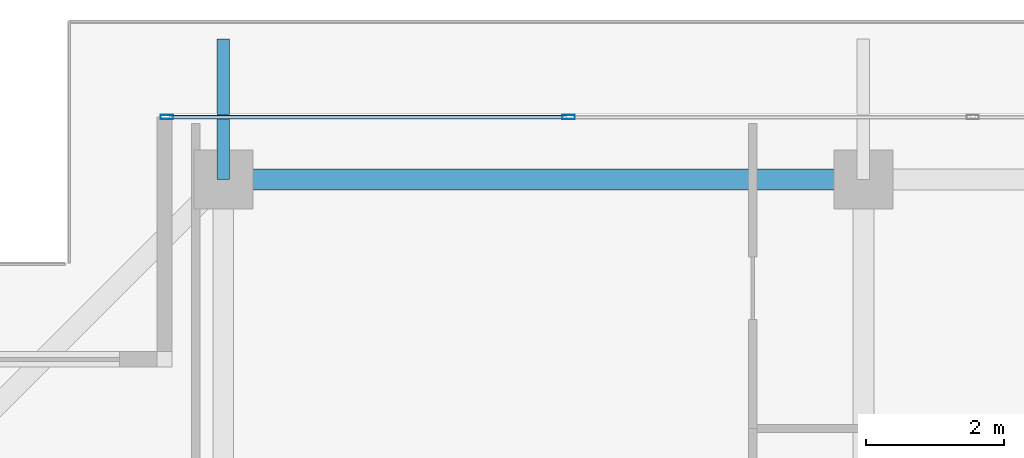
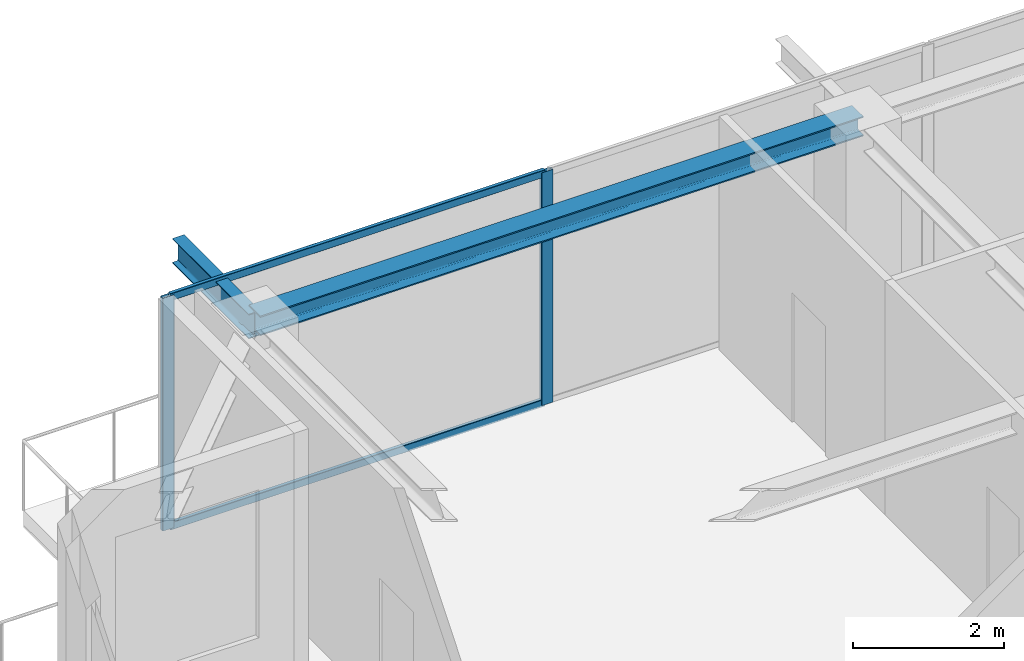
# One storey, part 18 of 36: 4 members, 2 beams, 1 element without a shape of its own.
"""IFC4 building model written with IfcOpenShell, lengths in metres."""

from ifc_helpers import new_model, si_unit, direction, frame, origin, origin_2d, place, context, subcontext, project, spatial, hollow_rectangle, i_section, extrude, source, transform, mapped, material, layer, layer_set, material_profile, profile_set, type_object, element, aggregate, save


model = new_model("IFC4")

# Units and contexts
model_context = context("Model", 3, precision=1e-05, world=origin(), true_north=direction((0.0, 1.0)))
body_context = subcontext(model_context, "Body", "Model", "MODEL_VIEW")
ifc_project = project(units=[si_unit("LENGTHUNIT", "METRE"), si_unit("AREAUNIT", "SQUARE_METRE"), si_unit("VOLUMEUNIT", "CUBIC_METRE"), si_unit("PLANEANGLEUNIT", "RADIAN"), si_unit("MASSUNIT", "GRAM", prefix="KILO")], contexts=[model_context])

# Site, building, storey
site_placement = place(None, origin())
site = spatial("IfcSite", under=ifc_project, at=site_placement, CompositionType="ELEMENT")
building_placement = place(site_placement, origin())
building = spatial("IfcBuilding", under=site, at=building_placement, Name="Serunith Strait Residences", CompositionType="ELEMENT")
storey_placement = place(building_placement, frame((0.0, 0.0, 338.0)))
storey = spatial("IfcBuildingStorey", under=building, at=storey_placement, Name="L84", CompositionType="ELEMENT", Elevation=338.0)

# Beams
ifc_material_1 = material(Name="Steel S355J2", Category="steel")
ifc_material_profile_1 = material_profile(ifc_material_1, i_section(OverallWidth=0.300048828125, OverallDepth=0.320068359375, WebThickness=0.011474609375, FlangeThickness=0.0205078125, FilletRadius=0.027099609375, at=origin_2d()), Name="HEB 320")
ifc_profile_set_1 = profile_set([ifc_material_profile_1], Name="Steel S355J2")
beam_type_1 = type_object("IfcBeamType", Name="BM-HEB320", PredefinedType="BEAM", material=ifc_profile_set_1)
shared_shape_1 = source(origin(), body_context, "Body", "SweptSolid", [
    extrude(i_section(OverallWidth=0.300048828125, OverallDepth=0.320068359375, WebThickness=0.011474609375, FlangeThickness=0.0205078125, FilletRadius=0.027099609375, at=origin_2d()), origin(), (0.0, 0.0, 1.0), 9.25),
])
beam_1_placement = place(storey_placement, frame((27.89990234375, 45.5, 3.626953125), z_axis=(-1.0, 0.0, 0.0), x_axis=(0.0, -1.0, 0.0)))
element("IfcBeam", 1, at=beam_1_placement, inside=storey, type_object=beam_type_1, Name="L84 Perimeter Ring Beam 11", PredefinedType="BEAM", context=body_context, shape_type="MappedRepresentation", body=[
    mapped(shared_shape_1, transform((0.0, 0.0, 0.0), scale=1.0)),
])
ifc_material_profile_2 = material_profile(ifc_material_1, i_section(OverallWidth=0.179931640625, OverallDepth=0.39990234375, WebThickness=0.008544921875, FlangeThickness=0.013427734375, FilletRadius=0.02099609375, at=origin_2d()), Name="IPE 400")
ifc_profile_set_2 = profile_set([ifc_material_profile_2], Name="Steel S355J2")
beam_type_2 = type_object("IfcBeamType", Name="BM-IPE400", PredefinedType="JOIST", material=ifc_profile_set_2)
shared_shape_2 = source(origin(), body_context, "Body", "SweptSolid", [
    extrude(i_section(OverallWidth=0.179931640625, OverallDepth=0.39990234375, WebThickness=0.008544921875, FlangeThickness=0.013427734375, FilletRadius=0.02099609375, at=origin_2d()), origin(), (0.0, 0.0, 1.0), 2.030029296875),
])
beam_2_placement = place(storey_placement, frame((18.64990234375, 45.5, 3.556884765625), z_axis=(0.0, 1.0, 0.0), x_axis=(-1.0, 0.0, 0.0)))
element("IfcBeam", 2, at=beam_2_placement, inside=storey, type_object=beam_type_2, Name="L85 Cantilevered Balcony Rib TC-N1", PredefinedType="JOIST", context=body_context, shape_type="MappedRepresentation", body=[
    mapped(shared_shape_2, transform((0.0, 0.0, 0.0), scale=1.0)),
])

# Curtain wall, members
ifc_material_2 = material(Name="Brushed Stainless-Silver Aluminium", Category="aluminium")
ifc_layer = layer(ifc_material_2, 0.199951171875, Name="Brushed Stainless-Silver Aluminium")
ifc_layer_set = layer_set([ifc_layer], Name="Brushed Stainless-Silver Aluminium")
curtain_wall_type = type_object("IfcCurtainWallType", Name="CW-SYS5", PredefinedType="NOTDEFINED", material=ifc_layer_set)
curtain_wall_placement = place(storey_placement, origin())
curtain_wall = element("IfcCurtainWall", 3, at=curtain_wall_placement, inside=storey, type_object=curtain_wall_type, Name="L84 N Unitised Fritted Curtain Wall", PredefinedType="NOTDEFINED")
ifc_material_profile_3 = material_profile(ifc_material_2, hollow_rectangle(XDim=0.06494140625, YDim=0.179931640625, WallThickness=0.00341796875, InnerFilletRadius=0.00537109375, OuterFilletRadius=0.0087890625, at=origin_2d()), Name="ALU 180x65x3.5")
ifc_profile_set_3 = profile_set([ifc_material_profile_3], Name="Brushed Stainless-Silver Aluminium")
member_type_1 = type_object("IfcMemberType", Name="CW-SYS5-MULL", PredefinedType="MULLION", material=ifc_profile_set_3)
shared_shape_3 = source(origin(), body_context, "Body", "SweptSolid", [
    extrude(hollow_rectangle(XDim=0.06494140625, YDim=0.179931640625, WallThickness=0.00341796875, InnerFilletRadius=0.00537109375, OuterFilletRadius=0.0087890625, at=origin_2d()), origin(), (0.0, 0.0, 1.0), 3.77490234375),
])
member_1_placement = place(storey_placement, frame((23.639892578125, 46.39990234375, 0.0), z_axis=(0.0, 0.0, 1.0), x_axis=(0.0, -1.0, 0.0)))
member_1 = element("IfcMember", 4, at=member_1_placement, type_object=member_type_1, Name="CW-5 mullion 5", PredefinedType="MULLION", context=body_context, shape_type="MappedRepresentation", body=[
    mapped(shared_shape_3, transform((0.0, 0.0, 0.0), scale=1.0)),
])
member_2_placement = place(storey_placement, frame((17.83251953125, 46.39990234375, 0.0), z_axis=(0.0, 0.0, 1.0), x_axis=(0.0, -1.0, 0.0)))
member_2 = element("IfcMember", 5, at=member_2_placement, type_object=member_type_1, Name="CW-5 mullion 6", PredefinedType="MULLION", context=body_context, shape_type="MappedRepresentation", body=[
    mapped(shared_shape_3, transform((0.0, 0.0, 0.0), scale=1.0)),
])
ifc_material_profile_4 = material_profile(ifc_material_2, hollow_rectangle(XDim=0.06005859375, YDim=0.1201171875, WallThickness=0.00341796875, InnerFilletRadius=0.00537109375, OuterFilletRadius=0.0087890625, at=origin_2d()), Name="ALU 120x60x3.5")
ifc_profile_set_4 = profile_set([ifc_material_profile_4], Name="Brushed Stainless-Silver Aluminium")
member_type_2 = type_object("IfcMemberType", Name="CW-SYS5-TRAN", PredefinedType="USERDEFINED", material=ifc_profile_set_4)
shared_shape_4 = source(origin(), body_context, "Body", "SweptSolid", [
    extrude(hollow_rectangle(XDim=0.06005859375, YDim=0.1201171875, WallThickness=0.00341796875, InnerFilletRadius=0.00537109375, OuterFilletRadius=0.0087890625, at=origin_2d()), origin(), (0.0, 0.0, 1.0), 5.742431640625),
])
member_3_placement = place(storey_placement, frame((23.607421875, 46.39990234375, 0.030029296875), z_axis=(-1.0, 0.0, 0.0), x_axis=(0.0, -1.0, 0.0)))
member_3 = element("IfcMember", 6, at=member_3_placement, type_object=member_type_2, Name="CW-5 transom 5.1", ObjectType="TRANSOM", PredefinedType="USERDEFINED", context=body_context, shape_type="MappedRepresentation", body=[
    mapped(shared_shape_4, transform((0.0, 0.0, 0.0), scale=1.0)),
])
member_4_placement = place(storey_placement, frame((23.607421875, 46.39990234375, 3.7451171875), z_axis=(-1.0, 0.0, 0.0), x_axis=(0.0, -1.0, 0.0)))
member_4 = element("IfcMember", 7, at=member_4_placement, type_object=member_type_2, Name="CW-5 transom 5.2", ObjectType="TRANSOM", PredefinedType="USERDEFINED", context=body_context, shape_type="MappedRepresentation", body=[
    mapped(shared_shape_4, transform((0.0, 0.0, 0.0), scale=1.0)),
])
aggregate(curtain_wall, [member_1, member_2, member_3, member_4])

save(model, "model.ifc")
